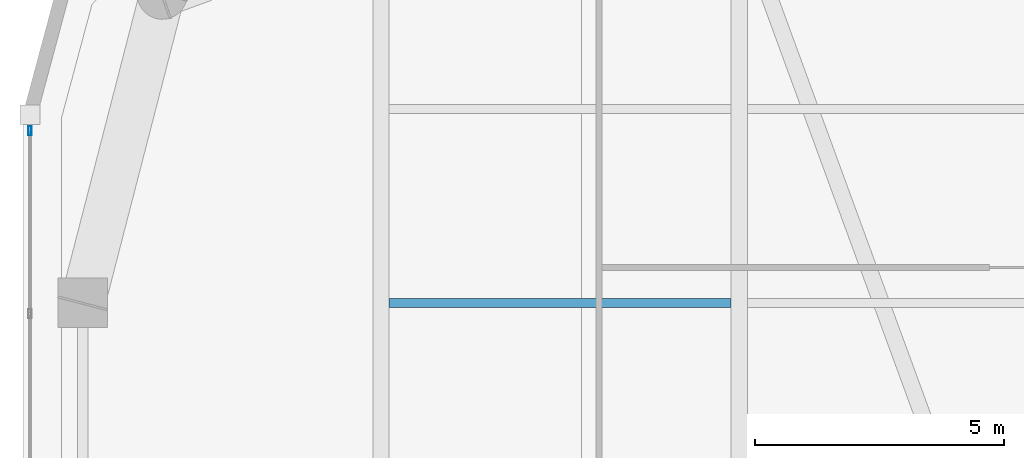
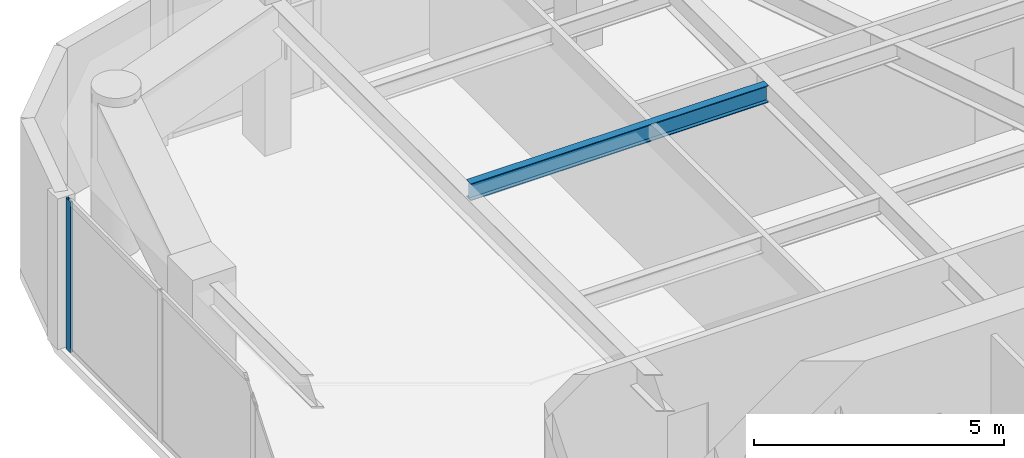
# One storey, part 8 of 21: 1 beam, 1 member, 1 element without a shape of its own.
"""IFC4 building model written with IfcOpenShell, lengths in metres."""

from ifc_helpers import new_model, si_unit, direction, frame, origin, origin_2d, place, context, subcontext, project, spatial, hollow_rectangle, i_section, extrude, material, layer, layer_set, material_profile, profile_set, type_object, element, aggregate, save


model = new_model("IFC4")

# Units and contexts
model_context = context("Model", 3, precision=1e-05, world=origin(), true_north=direction((0.0, 1.0)))
body_context = subcontext(model_context, "Body", "Model", "MODEL_VIEW")
ifc_project = project(units=[si_unit("LENGTHUNIT", "METRE"), si_unit("AREAUNIT", "SQUARE_METRE"), si_unit("VOLUMEUNIT", "CUBIC_METRE"), si_unit("PLANEANGLEUNIT", "RADIAN"), si_unit("MASSUNIT", "GRAM", prefix="KILO")], contexts=[model_context])

# Site, building, storey
site_placement = place(None, origin())
site = spatial("IfcSite", under=ifc_project, at=site_placement, CompositionType="ELEMENT")
building_placement = place(site_placement, origin())
building = spatial("IfcBuilding", under=site, at=building_placement, Name="Kiyonajd Concourse Tower", CompositionType="ELEMENT")
storey_placement = place(building_placement, frame((0.0, 0.0, 234.89990234375)))
storey = spatial("IfcBuildingStorey", under=building, at=storey_placement, Name="L59", CompositionType="ELEMENT", Elevation=234.89990234375)

# Beam
ifc_material_1 = material(Name="Steel ASTM A992 Grade 50", Category="steel")
ifc_material_profile_1 = material_profile(ifc_material_1, i_section(OverallWidth=0.180908203125, OverallDepth=0.4169921875, WebThickness=0.010986328125, FlangeThickness=0.018310546875, at=origin_2d()), Name="W410X85")
ifc_profile_set_1 = profile_set([ifc_material_profile_1], Name="Steel ASTM A992 Grade 50")
beam_type = type_object("IfcBeamType", Name="BM-JST-410", PredefinedType="JOIST", material=ifc_profile_set_1)
beam_placement = place(storey_placement, frame((32.56201171875, 53.39990234375, 3.4716796875), z_axis=(1.0, 0.0, 0.0), x_axis=(0.0, 1.0, 0.0)))
element("IfcBeam", 1, at=beam_placement, inside=storey, type_object=beam_type, Name="L59 Secondary Floor Joist", PredefinedType="JOIST", context=body_context, shape_type="SweptSolid", body=[
    extrude(i_section(OverallWidth=0.180908203125, OverallDepth=0.4169921875, WebThickness=0.010986328125, FlangeThickness=0.018310546875, at=origin_2d()), origin(), (0.0, 0.0, 1.0), 6.8759765625),
])

# Curtain wall, member
ifc_material_2 = material(Name="Thermally Broken Anodised Aluminium", Category="aluminium")
ifc_layer = layer(ifc_material_2, 0.179931640625)
ifc_layer_set = layer_set([ifc_layer], Name="Thermally Broken Anodised Aluminium")
curtain_wall_type = type_object("IfcCurtainWallType", Name="CW-SYS-04", PredefinedType="NOTDEFINED", material=ifc_layer_set)
curtain_wall_placement = place(storey_placement, origin())
curtain_wall = element("IfcCurtainWall", 2, at=curtain_wall_placement, inside=storey, type_object=curtain_wall_type, Name="L59 Unitised Curtain Wall CW4", PredefinedType="NOTDEFINED")
ifc_material_profile_2 = material_profile(ifc_material_2, hollow_rectangle(XDim=0.06494140625, YDim=0.179931640625, WallThickness=0.00390625, at=origin_2d()), Name="MULL-65x180")
ifc_profile_set_2 = profile_set([ifc_material_profile_2], Name="Thermally Broken Anodised Aluminium")
member_type = type_object("IfcMemberType", Name="MB-CW-MULL1", PredefinedType="MULLION", material=ifc_profile_set_2)
member_placement = place(storey_placement, frame((25.340087890625, 56.859130859375, 0.0), z_axis=(0.0, 0.0, 1.0), x_axis=(-1.0, 0.0, 0.0)))
member = element("IfcMember", 3, at=member_placement, type_object=member_type, Name="CW4 mullion 7", PredefinedType="MULLION", context=body_context, shape_type="SweptSolid", body=[
    extrude(hollow_rectangle(XDim=0.06494140625, YDim=0.179931640625, WallThickness=0.00390625, at=origin_2d()), origin(), (0.0, 0.0, 1.0), 3.68017578125),
])
aggregate(curtain_wall, [member])

save(model, "model.ifc")
